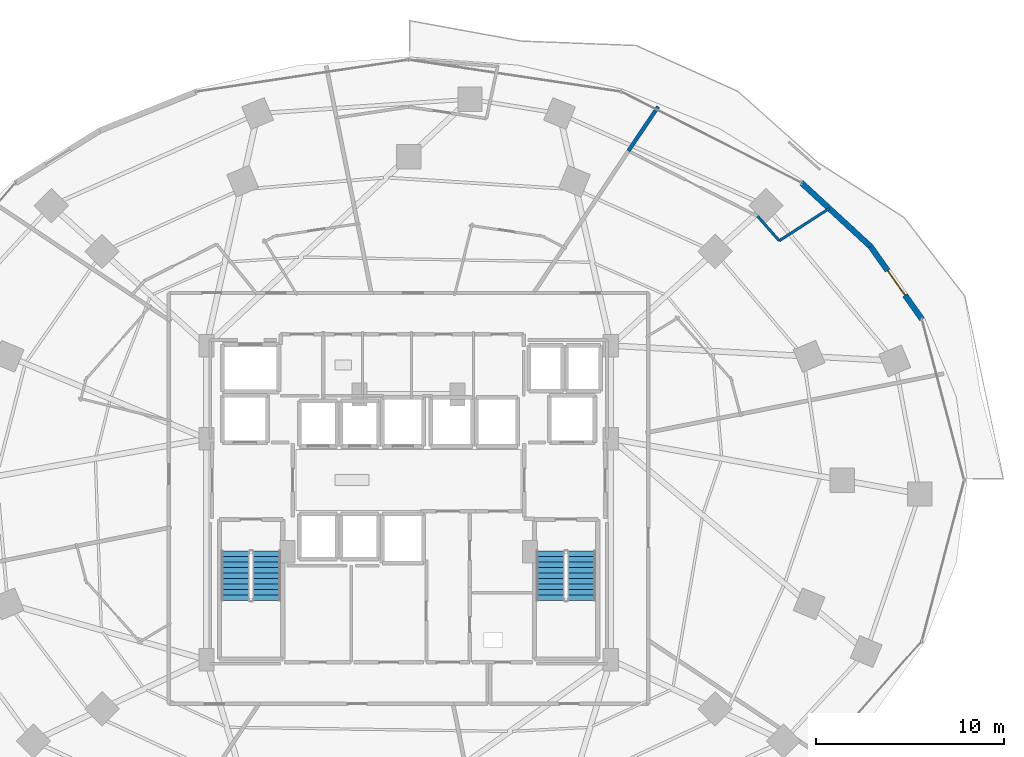
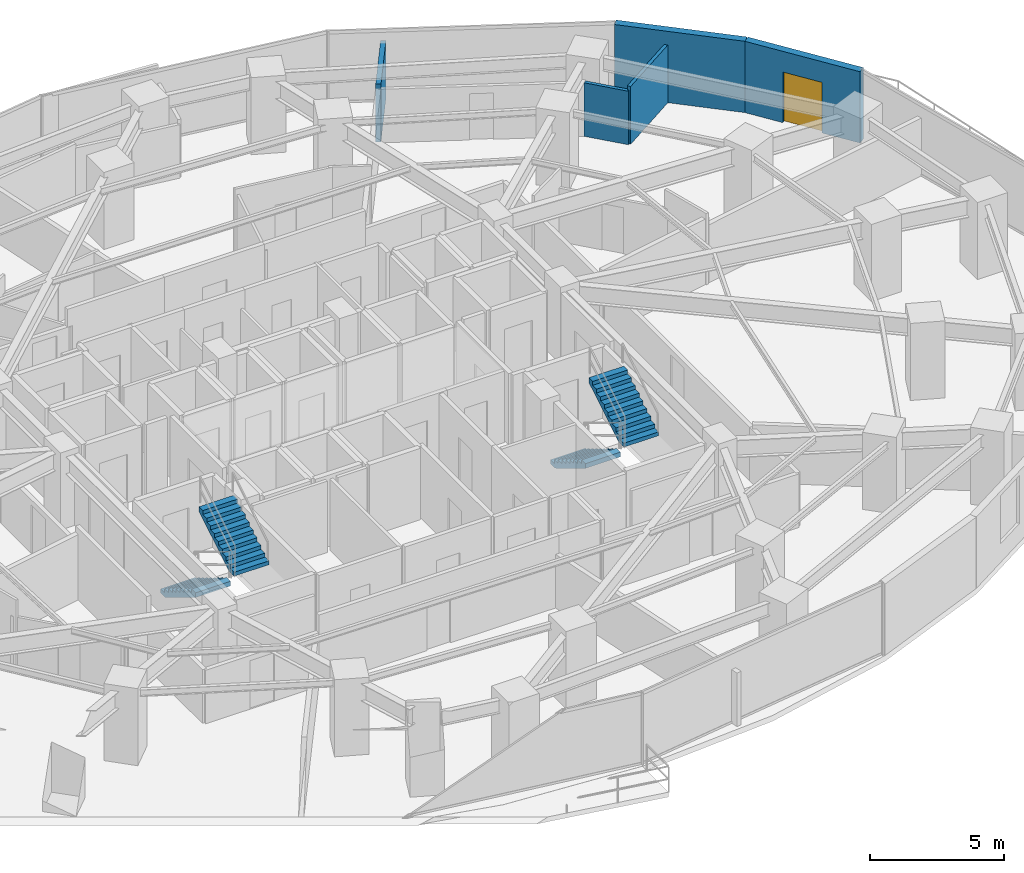
# One storey, part 27 of 30: 5 walls, 4 stair flights, 1 door, 1 opening, 2 elements without a shape of their own.
"""IFC4 building model written with IfcOpenShell, lengths in metres."""

from ifc_helpers import new_model, si_unit, direction, frame, frame_2d, origin, place, context, subcontext, project, spatial, polyline, rectangle, outline, extrude, material, layer, layer_set, type_object, element, fill, aggregate, save


model = new_model("IFC4")

# Units and contexts
model_context = context("Model", 3, precision=1e-05, world=origin(), true_north=direction((0.0, 1.0)))
body_context = subcontext(model_context, "Body", "Model", "MODEL_VIEW")
ifc_project = project(units=[si_unit("LENGTHUNIT", "METRE"), si_unit("AREAUNIT", "SQUARE_METRE"), si_unit("VOLUMEUNIT", "CUBIC_METRE"), si_unit("PLANEANGLEUNIT", "RADIAN"), si_unit("MASSUNIT", "GRAM", prefix="KILO")], contexts=[model_context])

# Site, building, storey
site_placement = place(None, origin())
site = spatial("IfcSite", under=ifc_project, at=site_placement, CompositionType="ELEMENT")
building_placement = place(site_placement, origin())
building = spatial("IfcBuilding", under=site, at=building_placement, Name="Vorneva Point Tower", CompositionType="ELEMENT")
storey_placement = place(building_placement, frame((0.0, 0.0, 41.5)))
storey = spatial("IfcBuildingStorey", under=building, at=storey_placement, Name="L10", CompositionType="ELEMENT", Elevation=41.5)

# Wall, opening, door
ifc_material_1 = material(Name="Precast concrete B50 (C40/50)", Category="concrete")
ifc_layer_1 = layer(ifc_material_1, 0.300048828125)
ifc_layer_set_1 = layer_set([ifc_layer_1], Name="Precast concrete B50 (C40/50)")
wall_type_1 = type_object("IfcWallType", Name="WL-EXT-300", PredefinedType="STANDARD", material=ifc_layer_set_1)
wall_1_placement = place(storey_placement, frame((65.300537109375, 34.552978515625, 0.0), z_axis=(0.0, 0.0, 1.0), x_axis=(-0.577130815624, 0.816651713803, 0.0)))
wall_1 = element("IfcWall", 1, at=wall_1_placement, inside=storey, type_object=wall_type_1, Name="L10 Pale-Metal Facade Spandrel Wall 02.1", PredefinedType="STANDARD", context=body_context, shape_type="SweptSolid", body=[
    extrude(rectangle(XDim=4.7314453125, YDim=0.300048828125, at=frame_2d((2.36572265625, 0.0))), origin(), (0.0, 0.0, 1.0), 3.239990234375),
])
opening_placement = place(wall_1_placement, frame((1.56591796875, 0.0, 0.0)))
opening = element("IfcOpeningElement", 2, at=opening_placement, cuts=wall_1, Name="Opening BD-01", PredefinedType="OPENING", context=body_context, shape_type="SweptSolid", body=[
    extrude(rectangle(XDim=1.60009765625, YDim=2.300048828125, at=frame_2d((0.800048828125, 1.14990234375))), frame((0.0, 0.1650390625, 0.0), z_axis=(0.0, -1.0, 0.0), x_axis=(1.0, 0.0, 0.0)), (0.0, 0.0, 1.0), 0.329833984375),
])
ifc_material_2 = material(Name="Pale anodised aluminium", Category="aluminium")
door_type = type_object("IfcDoorType", Name="DR-BAL-1600", OperationType="SLIDING_TO_LEFT", PredefinedType="DOOR", material=ifc_material_2)
door_placement = place(opening_placement, origin())
door = element("IfcDoor", 3, at=door_placement, inside=storey, type_object=door_type, Name="L10 Balcony Terrace Access Door 02", OperationType="SLIDING_TO_LEFT", OverallHeight=2.300048828125, OverallWidth=1.60009765625, PredefinedType="DOOR", context=body_context, shape_type="SweptSolid", body=[
    extrude(rectangle(XDim=1.60009765625, YDim=2.300048828125, at=frame_2d((0.800048828125, 1.14990234375))), frame((0.0, 0.02490234375, 0.0), z_axis=(0.0, -1.0, 0.0), x_axis=(1.0, 0.0, 0.0)), (0.0, 0.0, 1.0), 0.050048828125),
])
fill(opening, door)

# Walls
wall_2_placement = place(storey_placement, frame((62.56982421875, 38.4169921875, 0.0), z_axis=(0.0, 0.0, 1.0), x_axis=(-0.735342629635, 0.677695519419, 0.0)))
element("IfcWall", 4, at=wall_2_placement, inside=storey, type_object=wall_type_1, Name="L10 Pale-Metal Facade Spandrel Wall 02.2", PredefinedType="STANDARD", context=body_context, shape_type="SweptSolid", body=[
    extrude(rectangle(XDim=4.997314453125, YDim=0.300048828125, at=frame_2d((2.49853515625, 0.0))), origin(), (0.0, 0.0, 1.0), 3.239990234375),
])
ifc_material_3 = material(Name="Fire-rated acoustic gypsum stud partition", Category="gypsum")
ifc_layer_2 = layer(ifc_material_3, 0.139892578125)
ifc_layer_set_2 = layer_set([ifc_layer_2], Name="Fire-rated acoustic gypsum stud partition")
wall_type_2 = type_object("IfcWallType", Name="WL-PART-140", PredefinedType="PARTITIONING", material=ifc_layer_set_2)
wall_3_placement = place(storey_placement, frame((60.368896484375, 40.443115234375, 0.0), z_axis=(0.0, 0.0, 1.0), x_axis=(-0.840157237287, -0.542342895809, 0.0)))
element("IfcWall", 5, at=wall_3_placement, inside=storey, type_object=wall_type_2, Name="L10 Interior Partition 052", PredefinedType="PARTITIONING", context=body_context, shape_type="SweptSolid", body=[
    extrude(rectangle(XDim=3.166015625, YDim=0.139892578125, at=frame_2d((1.5830078125, 0.0))), origin(), (0.0, 0.0, 1.0), 2.6240234375),
])
wall_4_placement = place(storey_placement, frame((57.708984375, 38.72607421875, 0.0), z_axis=(0.0, 0.0, 1.0), x_axis=(-0.662510427818, 0.749052690425, 0.0)))
element("IfcWall", 6, at=wall_4_placement, inside=storey, type_object=wall_type_2, Name="L10 Interior Partition 053", PredefinedType="PARTITIONING", context=body_context, shape_type="SweptSolid", body=[
    extrude(rectangle(XDim=1.743408203125, YDim=0.139892578125, at=frame_2d((0.87158203125, 0.0))), origin(), (0.0, 0.0, 1.0), 2.431884765625),
])
ifc_material_4 = material(Name="Autoclaved aerated concrete blockwork", Category="masonry")
ifc_layer_3 = layer(ifc_material_4, 0.199951171875)
ifc_layer_set_3 = layer_set([ifc_layer_3], Name="Autoclaved aerated concrete blockwork")
wall_type_3 = type_object("IfcWallType", Name="WL-PART-200", PredefinedType="PARTITIONING", material=ifc_layer_set_3)
wall_5_placement = place(storey_placement, frame((51.26708984375, 45.85595703125, 0.0), z_axis=(0.0, 0.0, 1.0), x_axis=(-0.555653789226, -0.831413775757, 0.0)))
element("IfcWall", 7, at=wall_5_placement, inside=storey, type_object=wall_type_3, Name="L10 Interior Partition 058", PredefinedType="PARTITIONING", context=body_context, shape_type="SweptSolid", body=[
    extrude(rectangle(XDim=2.8349609375, YDim=0.199951171875, at=frame_2d((1.41748046875, 0.0))), origin(), (0.0, 0.0, 1.0), 2.6240234375),
])

# Stair, stair flights
ifc_material_5 = material(Name="Concrete B50 (C40/50)", Category="concrete")
stair_type = type_object("IfcStairType", Name="ST-DOG-1500", PredefinedType="HALF_TURN_STAIR", material=ifc_material_5)
stair_1_placement = place(storey_placement, origin())
stair_1 = element("IfcStair", 8, at=stair_1_placement, inside=storey, type_object=stair_type, Name="L10 ST1", PredefinedType="HALF_TURN_STAIR")
stair_flight_type = type_object("IfcStairFlightType", Name="STF-1500", PredefinedType="STRAIGHT", material=ifc_material_5)
stair_flight_1_placement = place(storey_placement, frame((28.800048828125, 22.219970703125, 0.0), z_axis=(0.0, 0.0, 1.0), x_axis=(0.0, -1.0, 0.0)))
stair_flight_1 = element("IfcStairFlight", 9, at=stair_flight_1_placement, type_object=stair_flight_type, Name="ST1 flight 1", NumberOfRisers=10, NumberOfTreads=9, PredefinedType="STRAIGHT", RiserHeight=0.175, TreadLength=0.29, context=body_context, shape_type="SweptSolid", body=[
    extrude(outline(polyline([(0.0, 0.0), (0.0, 0.175048828125), (0.2900390625, 0.175048828125), (0.2900390625, 0.35009765625), (0.580078125, 0.35009765625), (0.580078125, 0.52490234375), (0.8701171875, 0.52490234375), (0.8701171875, 0.699951171875), (1.159912109375, 0.699951171875), (1.159912109375, 0.875), (1.449951171875, 0.875), (1.449951171875, 1.050048828125), (1.739990234375, 1.050048828125), (1.739990234375, 1.22509765625), (2.030029296875, 1.22509765625), (2.030029296875, 1.39990234375), (2.320068359375, 1.39990234375), (2.320068359375, 1.574951171875), (2.610107421875, 1.574951171875), (2.610107421875, 1.75), (2.610107421875, 1.36474609375), (0.34814453125, 0.0), (0.0, 0.0)])), frame((0.0, 0.75, 0.0), z_axis=(0.0, -1.0, 0.0), x_axis=(1.0, 0.0, 0.0)), (0.0, 0.0, 1.0), 1.5),
])
stair_flight_2_placement = place(storey_placement, frame((30.449951171875, 19.610107421875, 1.75), z_axis=(0.0, 0.0, 1.0), x_axis=(0.0, 1.0, 0.0)))
stair_flight_2 = element("IfcStairFlight", 10, at=stair_flight_2_placement, type_object=stair_flight_type, Name="ST1 flight 2", NumberOfRisers=10, NumberOfTreads=9, PredefinedType="STRAIGHT", RiserHeight=0.175, TreadLength=0.29, context=body_context, shape_type="SweptSolid", body=[
    extrude(outline(polyline([(0.0, 0.0), (0.0, 0.175048828125), (0.2900390625, 0.175048828125), (0.2900390625, 0.35009765625), (0.580078125, 0.35009765625), (0.580078125, 0.52490234375), (0.8701171875, 0.52490234375), (0.8701171875, 0.699951171875), (1.159912109375, 0.699951171875), (1.159912109375, 0.875), (1.449951171875, 0.875), (1.449951171875, 1.050048828125), (1.739990234375, 1.050048828125), (1.739990234375, 1.22509765625), (2.030029296875, 1.22509765625), (2.030029296875, 1.39990234375), (2.320068359375, 1.39990234375), (2.320068359375, 1.574951171875), (2.610107421875, 1.574951171875), (2.610107421875, 1.75), (2.610107421875, 1.36474609375), (0.34814453125, 0.0), (0.0, 0.0)])), frame((0.0, 0.75, 0.0), z_axis=(0.0, -1.0, 0.0), x_axis=(1.0, 0.0, 0.0)), (0.0, 0.0, 1.0), 1.5),
])
aggregate(stair_1, [stair_flight_1, stair_flight_2])

stair_2_placement = place(storey_placement, origin())
stair_2 = element("IfcStair", 11, at=stair_2_placement, inside=storey, type_object=stair_type, Name="L10 ST2", PredefinedType="HALF_TURN_STAIR")
stair_flight_3_placement = place(storey_placement, frame((45.550048828125, 22.219970703125, 0.0), z_axis=(0.0, 0.0, 1.0), x_axis=(0.0, -1.0, 0.0)))
stair_flight_3 = element("IfcStairFlight", 12, at=stair_flight_3_placement, type_object=stair_flight_type, Name="ST2 flight 1", NumberOfRisers=10, NumberOfTreads=9, PredefinedType="STRAIGHT", RiserHeight=0.175, TreadLength=0.29, context=body_context, shape_type="SweptSolid", body=[
    extrude(outline(polyline([(0.0, 0.0), (0.0, 0.175048828125), (0.2900390625, 0.175048828125), (0.2900390625, 0.35009765625), (0.580078125, 0.35009765625), (0.580078125, 0.52490234375), (0.8701171875, 0.52490234375), (0.8701171875, 0.699951171875), (1.159912109375, 0.699951171875), (1.159912109375, 0.875), (1.449951171875, 0.875), (1.449951171875, 1.050048828125), (1.739990234375, 1.050048828125), (1.739990234375, 1.22509765625), (2.030029296875, 1.22509765625), (2.030029296875, 1.39990234375), (2.320068359375, 1.39990234375), (2.320068359375, 1.574951171875), (2.610107421875, 1.574951171875), (2.610107421875, 1.75), (2.610107421875, 1.36474609375), (0.34814453125, 0.0), (0.0, 0.0)])), frame((0.0, 0.75, 0.0), z_axis=(0.0, -1.0, 0.0), x_axis=(1.0, 0.0, 0.0)), (0.0, 0.0, 1.0), 1.5),
])
stair_flight_4_placement = place(storey_placement, frame((47.199951171875, 19.610107421875, 1.75), z_axis=(0.0, 0.0, 1.0), x_axis=(0.0, 1.0, 0.0)))
stair_flight_4 = element("IfcStairFlight", 13, at=stair_flight_4_placement, type_object=stair_flight_type, Name="ST2 flight 2", NumberOfRisers=10, NumberOfTreads=9, PredefinedType="STRAIGHT", RiserHeight=0.175, TreadLength=0.29, context=body_context, shape_type="SweptSolid", body=[
    extrude(outline(polyline([(0.0, 0.0), (0.0, 0.175048828125), (0.2900390625, 0.175048828125), (0.2900390625, 0.35009765625), (0.580078125, 0.35009765625), (0.580078125, 0.52490234375), (0.8701171875, 0.52490234375), (0.8701171875, 0.699951171875), (1.159912109375, 0.699951171875), (1.159912109375, 0.875), (1.449951171875, 0.875), (1.449951171875, 1.050048828125), (1.739990234375, 1.050048828125), (1.739990234375, 1.22509765625), (2.030029296875, 1.22509765625), (2.030029296875, 1.39990234375), (2.320068359375, 1.39990234375), (2.320068359375, 1.574951171875), (2.610107421875, 1.574951171875), (2.610107421875, 1.75), (2.610107421875, 1.36474609375), (0.34814453125, 0.0), (0.0, 0.0)])), frame((0.0, 0.75, 0.0), z_axis=(0.0, -1.0, 0.0), x_axis=(1.0, 0.0, 0.0)), (0.0, 0.0, 1.0), 1.5),
])
aggregate(stair_2, [stair_flight_3, stair_flight_4])

save(model, "model.ifc")
